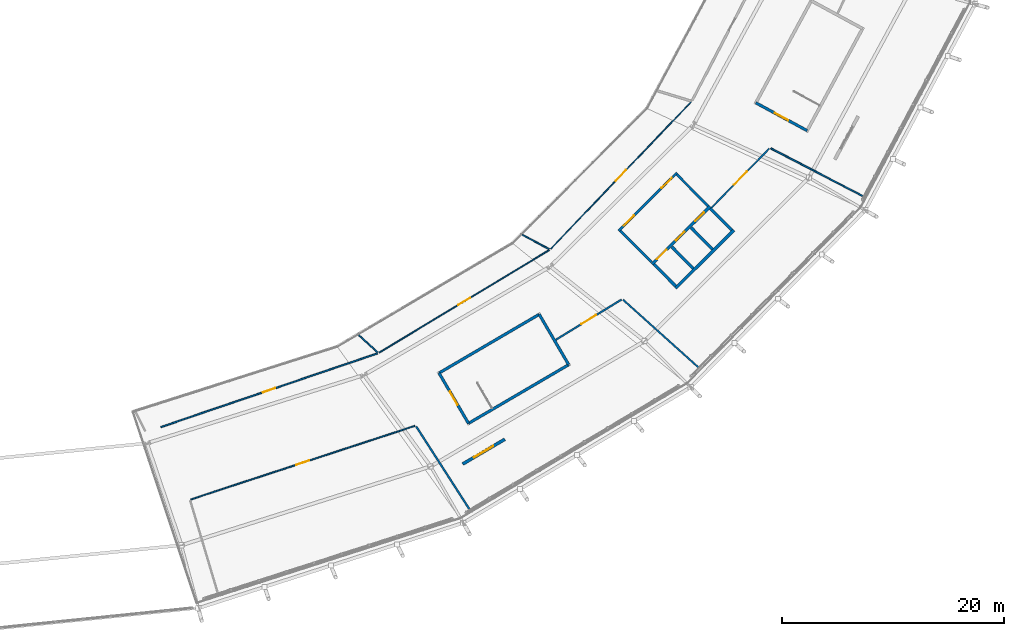
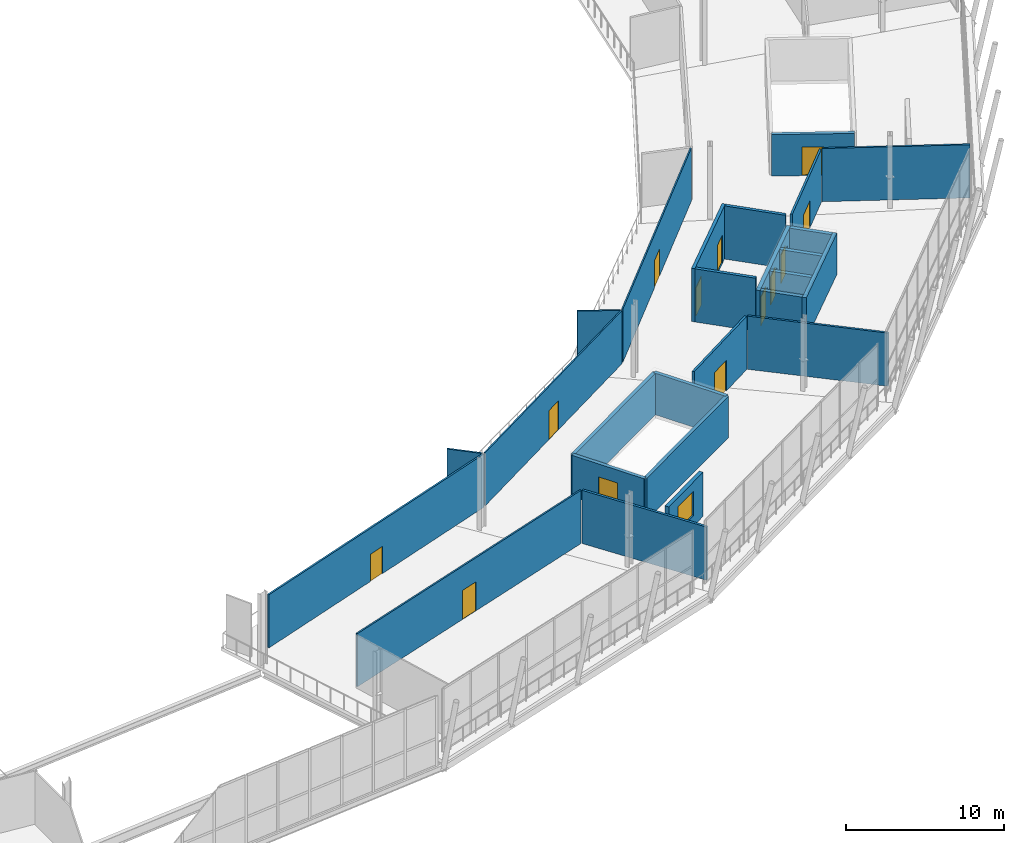
# One storey, part 87 of 99: 26 walls, 13 doors, 1 window, 14 openings.
"""IFC4 building model written with IfcOpenShell, lengths in metres."""

from ifc_helpers import new_model, si_unit, direction, frame, frame_2d, origin, place, context, subcontext, project, spatial, rectangle, extrude, material, layer, layer_set, type_object, element, fill, save


model = new_model("IFC4")

# Units and contexts
model_context = context("Model", 3, precision=1e-05, world=origin(), true_north=direction((0.0, 1.0)))
body_context = subcontext(model_context, "Body", "Model", "MODEL_VIEW")
ifc_project = project(units=[si_unit("LENGTHUNIT", "METRE"), si_unit("AREAUNIT", "SQUARE_METRE"), si_unit("VOLUMEUNIT", "CUBIC_METRE"), si_unit("PLANEANGLEUNIT", "RADIAN"), si_unit("MASSUNIT", "GRAM", prefix="KILO")], contexts=[model_context])

# Site, building, storey
site_placement = place(None, origin())
site = spatial("IfcSite", under=ifc_project, at=site_placement, CompositionType="ELEMENT")
building_placement = place(site_placement, origin())
building = spatial("IfcBuilding", under=site, at=building_placement, Name="Zlatoyarsky Gate Stadium", CompositionType="ELEMENT")
storey_placement = place(building_placement, frame((0.0, 0.0, 26.199951171875)))
storey = spatial("IfcBuildingStorey", under=building, at=storey_placement, Name="L05", CompositionType="ELEMENT", Elevation=26.199951171875)

# Walls
ifc_material_1 = material(Name="Double-stud acoustic gypsum partition", Category="gypsum")
ifc_layer_1 = layer(ifc_material_1, 0.169921875)
ifc_layer_set_1 = layer_set([ifc_layer_1], Name="Double-stud acoustic gypsum partition")
wall_type_1 = type_object("IfcWallType", Name="ACOUSTIC BROADCAST STUDIO WALL 170", PredefinedType="PARTITIONING", material=ifc_layer_set_1)
wall_1_placement = place(storey_placement, frame((156.1953125, 22.114013671875, 0.0), z_axis=(0.0, 0.0, 1.0), x_axis=(0.540953941146, -0.841052218093, 0.0)))
element("IfcWall", 1, at=wall_1_placement, inside=storey, type_object=wall_type_1, Name="L05 interior partition PRT-L05-ORD-19R", PredefinedType="PARTITIONING", context=body_context, shape_type="SweptSolid", body=[
    extrude(rectangle(XDim=8.860107421875, YDim=0.169921875, at=frame_2d((4.43017578125, 0.0))), origin(), (0.0, 0.0, 1.0), 4.10009765625),
])
ifc_material_2 = material(Name="Anodised aluminium acoustic operable wall", Category="aluminium")
ifc_layer_2 = layer(ifc_material_2, 0.114990234375)
ifc_layer_set_2 = layer_set([ifc_layer_2], Name="Anodised aluminium acoustic operable wall")
wall_type_2 = type_object("IfcWallType", Name="ACOUSTIC OPERABLE SUITE WALL 115", PredefinedType="MOVABLE", material=ifc_layer_set_2)
wall_2_placement = place(storey_placement, frame((165.7548828125, 39.351806640625, 0.0), z_axis=(0.0, 0.0, 1.0), x_axis=(0.88302902967, -0.469318370363, 0.0)))
element("IfcWall", 2, at=wall_2_placement, inside=storey, type_object=wall_type_2, Name="L05 interior partition PRT-L05-IRD-21", PredefinedType="MOVABLE", context=body_context, shape_type="SweptSolid", body=[
    extrude(rectangle(XDim=2.735107421875, YDim=0.114990234375, at=frame_2d((1.36767578125, 0.0))), origin(), (0.0, 0.0, 1.0), 4.10009765625),
])

# Wall, opening, door
wall_3_placement = place(storey_placement, frame((135.915283203125, 15.54052734375, 0.0), z_axis=(0.0, 0.0, 1.0), x_axis=(0.950079230019, 0.312008744568, 0.0)))
wall_3 = element("IfcWall", 3, at=wall_3_placement, inside=storey, type_object=wall_type_2, Name="L05 interior partition PRT-L05-OCC-19-1", PredefinedType="MOVABLE", context=body_context, shape_type="SweptSolid", body=[
    extrude(rectangle(XDim=21.212158203125, YDim=0.114990234375, at=frame_2d((10.60595703125, 0.0))), origin(), (0.0, 0.0, 1.0), 4.10009765625),
])
opening_1_placement = place(wall_3_placement, frame((9.986083984375, 0.0, 0.0)))
opening_1 = element("IfcOpeningElement", 4, at=opening_1_placement, cuts=wall_3, Name="Opening D-L05-698", PredefinedType="OPENING", context=body_context, shape_type="SweptSolid", body=[
    extrude(rectangle(XDim=1.239990234375, YDim=2.239990234375, at=frame_2d((0.6201171875, 1.1201171875))), frame((0.0, 0.0673828125, 0.0), z_axis=(0.0, -1.0, 0.0), x_axis=(1.0, 0.0, 0.0)), (0.0, 0.0, 1.0), 0.135009765625),
])
ifc_material_3 = material(Name="Solid-core oak veneer acoustic door", Category="wood")
door_type_1 = type_object("IfcDoorType", Name="ACOUSTIC INTERIOR DOOR 1240X2240", OperationType="NOTDEFINED", PredefinedType="DOOR", material=ifc_material_3)
door_1_placement = place(opening_1_placement, origin())
door_1 = element("IfcDoor", 5, at=door_1_placement, inside=storey, type_object=door_type_1, Name="L05 room door D-L05-698", OperationType="SINGLE_SWING_RIGHT", OverallHeight=2.239990234375, OverallWidth=1.239990234375, PredefinedType="DOOR", context=body_context, shape_type="SweptSolid", body=[
    extrude(rectangle(XDim=1.239990234375, YDim=2.239990234375, at=frame_2d((0.6201171875, 1.1201171875))), frame((0.0, 0.02490234375, 0.0), z_axis=(0.0, -1.0, 0.0), x_axis=(1.0, 0.0, 0.0)), (0.0, 0.0, 1.0), 0.050048828125),
])
fill(opening_1, door_1)

ifc_material_4 = material(Name="Moisture-resistant masonry partition", Category="masonry")
ifc_layer_3 = layer(ifc_material_4, 0.139892578125)
ifc_layer_set_3 = layer_set([ifc_layer_3], Name="Moisture-resistant masonry partition")
wall_type_3 = type_object("IfcWallType", Name="ATHLETE CHANGING BLOCK PARTITION 140", PredefinedType="PARTITIONING", material=ifc_layer_set_3)
wall_4_placement = place(storey_placement, frame((182.78369140625, 41.802001953125, 0.0), z_axis=(0.0, 0.0, 1.0), x_axis=(0.698644879178, 0.715468610631, 0.0)))
wall_4 = element("IfcWall", 6, at=wall_4_placement, inside=storey, type_object=wall_type_3, Name="L05 interior partition PRT-L05-OCC-21-1", PredefinedType="PARTITIONING", context=body_context, shape_type="SweptSolid", body=[
    extrude(rectangle(XDim=7.429931640625, YDim=0.139892578125, at=frame_2d((3.71484375, 0.0))), origin(), (0.0, 0.0, 1.0), 4.10009765625),
])
opening_2_placement = place(wall_4_placement, frame((2.875, 0.0, 0.0)))
opening_2 = element("IfcOpeningElement", 7, at=opening_2_placement, cuts=wall_4, Name="Opening D-L05-703", PredefinedType="OPENING", context=body_context, shape_type="SweptSolid", body=[
    extrude(rectangle(XDim=1.679931640625, YDim=2.10009765625, at=frame_2d((0.83984375, 1.050048828125))), frame((0.0, 0.079833984375, 0.0), z_axis=(0.0, -1.0, 0.0), x_axis=(1.0, 0.0, 0.0)), (0.0, 0.0, 1.0), 0.159912109375),
])
ifc_material_5 = material(Name="Powder-coated steel fire door", Category="steel")
door_type_2 = type_object("IfcDoorType", Name="ACOUSTIC INTERIOR DOOR 1680X2100", OperationType="NOTDEFINED", PredefinedType="DOOR", material=ifc_material_5)
door_2_placement = place(opening_2_placement, origin())
door_2 = element("IfcDoor", 8, at=door_2_placement, inside=storey, type_object=door_type_2, Name="L05 room door D-L05-703", OperationType="SINGLE_SWING_RIGHT", OverallHeight=2.10009765625, OverallWidth=1.679931640625, PredefinedType="DOOR", context=body_context, shape_type="SweptSolid", body=[
    extrude(rectangle(XDim=1.679931640625, YDim=2.10009765625, at=frame_2d((0.83984375, 1.050048828125))), frame((0.0, 0.02490234375, 0.0), z_axis=(0.0, -1.0, 0.0), x_axis=(1.0, 0.0, 0.0)), (0.0, 0.0, 1.0), 0.050048828125),
])
fill(opening_2, door_2)

# Walls
ifc_material_6 = material(Name="Metal-stud gypsum partition", Category="gypsum")
ifc_layer_4 = layer(ifc_material_6, 0.14990234375)
ifc_layer_set_4 = layer_set([ifc_layer_4], Name="Metal-stud gypsum partition")
wall_type_4 = type_object("IfcWallType", Name="CONCOURSE CORRIDOR PARTITION 150", PredefinedType="PARTITIONING", material=ifc_layer_set_4)
wall_5_placement = place(storey_placement, frame((174.81298828125, 33.517578125, 0.0), z_axis=(0.0, 0.0, 1.0), x_axis=(0.744190680706, -0.667967237782, 0.0)))
element("IfcWall", 9, at=wall_5_placement, inside=storey, type_object=wall_type_4, Name="L05 interior partition PRT-L05-ORD-20R", PredefinedType="PARTITIONING", context=body_context, shape_type="SweptSolid", body=[
    extrude(rectangle(XDim=9.10595703125, YDim=0.14990234375, at=frame_2d((4.552978515625, 0.0))), origin(), (0.0, 0.0, 1.0), 4.10009765625),
])
ifc_material_7 = material(Name="Concrete C40/50", Category="concrete")
ifc_layer_5 = layer(ifc_material_7, 0.27001953125)
ifc_layer_set_5 = layer_set([ifc_layer_5], Name="Concrete C40/50")
wall_type_5 = type_object("IfcWallType", Name="CONCRETE LIFT SHAFT SHEAR WALL 270", PredefinedType="SHEAR", material=ifc_layer_set_5)
wall_6_placement = place(storey_placement, frame((179.547119140625, 34.556396484375, 0.0), z_axis=(0.0, 0.0, 1.0), x_axis=(0.708902567846, 0.705306422274, 0.0)))
element("IfcWall", 10, at=wall_6_placement, inside=storey, type_object=wall_type_5, Name="C4 L05 lift shaft rear wall", PredefinedType="SHEAR", context=body_context, shape_type="SweptSolid", body=[
    extrude(rectangle(XDim=7.39990234375, YDim=0.27001953125, at=frame_2d((3.699951171875, 0.0))), origin(), (0.0, 0.0, 1.0), 3.199951171875),
])
for number, where, z_axis, x_axis, name in (
    (11, (179.54052734375, 34.75439453125, 0.0), (0.0, 0.0, 1.0), (-0.705322518225, 0.708886553183, 0.0), "C4 L05 lift shaft left wall"),
    (12, (184.594970703125, 39.783203125, 0.0), (0.0, 0.0, 1.0), (-0.705322518225, 0.708886553183, 0.0), "C4 L05 lift shaft right wall"),
    (13, (181.12841796875, 36.334228515625, 0.0), (0.0, 0.0, 1.0), (-0.705322518225, 0.708886553183, 0.0), "C4 L05 lift shaft divider 1"),
    (14, (182.865234375, 38.062255859375, 0.0), (0.0, 0.0, 1.0), (-0.705322518225, 0.708886553183, 0.0), "C4 L05 lift shaft divider 2"),
):
    element("IfcWall", number, at=place(storey_placement, frame(where, z_axis=z_axis, x_axis=x_axis)), inside=storey, type_object=wall_type_5, Name=name, PredefinedType="SHEAR", context=body_context, shape_type="SweptSolid", body=[
        extrude(rectangle(XDim=2.739990234375, YDim=0.27001953125, at=frame_2d((1.3701171875, 0.0))), origin(), (0.0, 0.0, 1.0), 3.199951171875),
    ])

# Wall, openings, doors
wall_7_placement = place(storey_placement, frame((177.409912109375, 36.704345703125, 0.0), z_axis=(0.0, 0.0, 1.0), x_axis=(0.708918979457, 0.705289926602, 0.0)))
wall_7 = element("IfcWall", 15, at=wall_7_placement, inside=storey, type_object=wall_type_5, Name="C4 L05 lift landing front wall", PredefinedType="SHEAR", context=body_context, shape_type="SweptSolid", body=[
    extrude(rectangle(XDim=7.400146484375, YDim=0.27001953125, at=frame_2d((3.7001953125, 0.0))), origin(), (0.0, 0.0, 1.0), 3.199951171875),
])
opening_3_placement = place(wall_7_placement, frame((0.64990234375, 0.0, 0.0)))
opening_3 = element("IfcOpeningElement", 16, at=opening_3_placement, cuts=wall_7, Name="Opening LD-FL-04-L05", PredefinedType="OPENING", context=body_context, shape_type="SweptSolid", body=[
    extrude(rectangle(XDim=1.199951171875, YDim=2.25, at=frame_2d((0.60009765625, 1.125))), frame((0.0, 0.14501953125, 0.0), z_axis=(0.0, -1.0, 0.0), x_axis=(1.0, 0.0, 0.0)), (0.0, 0.0, 1.0), 0.2900390625),
])
opening_4_placement = place(wall_7_placement, frame((3.050048828125, 0.0, 0.0)))
opening_4 = element("IfcOpeningElement", 17, at=opening_4_placement, cuts=wall_7, Name="Opening LD-LF-07-L05", PredefinedType="OPENING", context=body_context, shape_type="SweptSolid", body=[
    extrude(rectangle(XDim=1.10009765625, YDim=2.199951171875, at=frame_2d((0.550048828125, 1.10009765625))), frame((0.0, 0.14501953125, 0.0), z_axis=(0.0, -1.0, 0.0), x_axis=(1.0, 0.0, 0.0)), (0.0, 0.0, 1.0), 0.2900390625),
])
opening_5_placement = place(wall_7_placement, frame((5.5, 0.0, 0.0)))
opening_5 = element("IfcOpeningElement", 18, at=opening_5_placement, cuts=wall_7, Name="Opening LD-LF-08-L05", PredefinedType="OPENING", context=body_context, shape_type="SweptSolid", body=[
    extrude(rectangle(XDim=1.10009765625, YDim=2.199951171875, at=frame_2d((0.550048828125, 1.10009765625))), frame((0.0, 0.14501953125, 0.0), z_axis=(0.0, -1.0, 0.0), x_axis=(1.0, 0.0, 0.0)), (0.0, 0.0, 1.0), 0.2900390625),
])
door_type_3 = type_object("IfcDoorType", Name="STAINLESS LIFT LANDING SLIDING DOOR 1100X2200", OperationType="DOUBLE_DOOR_SLIDING", PredefinedType="DOOR", material=ifc_material_5)
door_3_placement = place(opening_4_placement, origin())
door_3 = element("IfcDoor", 19, at=door_3_placement, inside=storey, type_object=door_type_3, Name="Lift LF-07 L05 sliding landing door", OperationType="DOUBLE_DOOR_SLIDING", OverallHeight=2.199951171875, OverallWidth=1.10009765625, PredefinedType="DOOR", context=body_context, shape_type="SweptSolid", body=[
    extrude(rectangle(XDim=1.10009765625, YDim=2.199951171875, at=frame_2d((0.550048828125, 1.10009765625))), frame((0.0, 0.02490234375, 0.0), z_axis=(0.0, -1.0, 0.0), x_axis=(1.0, 0.0, 0.0)), (0.0, 0.0, 1.0), 0.050048828125),
])
fill(opening_4, door_3)
door_4_placement = place(opening_5_placement, origin())
door_4 = element("IfcDoor", 20, at=door_4_placement, inside=storey, type_object=door_type_3, Name="Lift LF-08 L05 sliding landing door", OperationType="DOUBLE_DOOR_SLIDING", OverallHeight=2.199951171875, OverallWidth=1.10009765625, PredefinedType="DOOR", context=body_context, shape_type="SweptSolid", body=[
    extrude(rectangle(XDim=1.10009765625, YDim=2.199951171875, at=frame_2d((0.550048828125, 1.10009765625))), frame((0.0, 0.02490234375, 0.0), z_axis=(0.0, -1.0, 0.0), x_axis=(1.0, 0.0, 0.0)), (0.0, 0.0, 1.0), 0.050048828125),
])
fill(opening_5, door_4)
door_type_4 = type_object("IfcDoorType", Name="STAINLESS LIFT LANDING SLIDING DOOR 1200X2250", OperationType="DOUBLE_DOOR_SLIDING", PredefinedType="DOOR", material=ifc_material_5)
door_5_placement = place(opening_3_placement, origin())
door_5 = element("IfcDoor", 21, at=door_5_placement, inside=storey, type_object=door_type_4, Name="Lift FL-04 L05 sliding landing door", OperationType="DOUBLE_DOOR_SLIDING", OverallHeight=2.25, OverallWidth=1.199951171875, PredefinedType="DOOR", context=body_context, shape_type="SweptSolid", body=[
    extrude(rectangle(XDim=1.199951171875, YDim=2.25, at=frame_2d((0.60009765625, 1.125))), frame((0.0, 0.02490234375, 0.0), z_axis=(0.0, -1.0, 0.0), x_axis=(1.0, 0.0, 0.0)), (0.0, 0.0, 1.0), 0.050048828125),
])
fill(opening_3, door_5)

# Wall, opening, door
ifc_layer_6 = layer(ifc_material_7, 0.25)
ifc_layer_set_6 = layer_set([ifc_layer_6], Name="Concrete C40/50")
wall_type_6 = type_object("IfcWallType", Name="CONCRETE STAIR CORE SHEAR WALL 250", PredefinedType="SHEAR", material=ifc_layer_set_6)
wall_8_placement = place(storey_placement, frame((158.25341796875, 26.916015625, 0.0), z_axis=(0.0, 0.0, 1.0), x_axis=(0.505460490551, -0.862849750821, 0.0)))
wall_8 = element("IfcWall", 22, at=wall_8_placement, inside=storey, type_object=wall_type_6, Name="ST-11 L05 stair core entrance shear wall", PredefinedType="SHEAR", context=body_context, shape_type="SweptSolid", body=[
    extrude(rectangle(XDim=5.249755859375, YDim=0.25, at=frame_2d((2.625, 0.0))), origin(), (0.0, 0.0, 1.0), 3.199951171875),
])
opening_6_placement = place(wall_8_placement, frame((1.925048828125, 0.0, 0.0)))
opening_6 = element("IfcOpeningElement", 23, at=opening_6_placement, cuts=wall_8, Name="Opening SD-ST-11-L05", PredefinedType="OPENING", context=body_context, shape_type="SweptSolid", body=[
    extrude(rectangle(XDim=1.39990234375, YDim=2.199951171875, at=frame_2d((0.699951171875, 1.10009765625))), frame((0.0, 0.135009765625, 0.0), z_axis=(0.0, -1.0, 0.0), x_axis=(1.0, 0.0, 0.0)), (0.0, 0.0, 1.0), 0.27001953125),
])
door_type_5 = type_object("IfcDoorType", Name="STAIR CORE FIRE EXIT DOOR 1400X2200", OperationType="NOTDEFINED", PredefinedType="DOOR", material=ifc_material_5)
door_6_placement = place(opening_6_placement, frame((1.39990234375, 0.0, 0.0), z_axis=(0.0, 0.0, 1.0), x_axis=(-1.0, 0.0, 0.0)))
door_6 = element("IfcDoor", 24, at=door_6_placement, inside=storey, type_object=door_type_5, Name="ST-11 L05 stair fire door", OperationType="SINGLE_SWING_LEFT", OverallHeight=2.199951171875, OverallWidth=1.39990234375, PredefinedType="DOOR", context=body_context, shape_type="SweptSolid", body=[
    extrude(rectangle(XDim=1.39990234375, YDim=2.199951171875, at=frame_2d((0.699951171875, 1.10009765625))), frame((0.0, 0.02490234375, 0.0), z_axis=(0.0, -1.0, 0.0), x_axis=(1.0, 0.0, 0.0)), (0.0, 0.0, 1.0), 0.050048828125),
])
fill(opening_6, door_6)

# Walls
wall_9_placement = place(storey_placement, frame((160.906982421875, 22.38623046875, 0.0), z_axis=(0.0, 0.0, 1.0), x_axis=(0.862854686184, 0.505452065513, 0.0)))
element("IfcWall", 25, at=wall_9_placement, inside=storey, type_object=wall_type_6, Name="ST-11 L05 stair core left shear wall", PredefinedType="SHEAR", context=body_context, shape_type="SweptSolid", body=[
    extrude(rectangle(XDim=10.449951171875, YDim=0.25, at=frame_2d((5.22509765625, 0.0))), origin(), (0.0, 0.0, 1.0), 3.199951171875),
])
wall_10_placement = place(storey_placement, frame((169.923828125, 27.668212890625, 0.0), z_axis=(0.0, 0.0, 1.0), x_axis=(-0.505474830399, 0.862841350327, 0.0)))
element("IfcWall", 26, at=wall_10_placement, inside=storey, type_object=wall_type_6, Name="ST-11 L05 stair core far shear wall", PredefinedType="SHEAR", context=body_context, shape_type="SweptSolid", body=[
    extrude(rectangle(XDim=5.250244140625, YDim=0.25, at=frame_2d((2.625, 0.0))), origin(), (0.0, 0.0, 1.0), 3.199951171875),
])
wall_11_placement = place(storey_placement, frame((167.27001953125, 32.1982421875, 0.0), z_axis=(0.0, 0.0, 1.0), x_axis=(-0.862838527648, -0.505479648657, 0.0)))
element("IfcWall", 27, at=wall_11_placement, inside=storey, type_object=wall_type_6, Name="ST-11 L05 stair core right shear wall", PredefinedType="SHEAR", context=body_context, shape_type="SweptSolid", body=[
    extrude(rectangle(XDim=10.449951171875, YDim=0.25, at=frame_2d((5.22509765625, 0.0))), origin(), (0.0, 0.0, 1.0), 3.199951171875),
])

# Wall, opening, door
wall_12_placement = place(storey_placement, frame((186.770263671875, 51.235107421875, 0.0), z_axis=(0.0, 0.0, 1.0), x_axis=(0.878941993928, -0.476928685769, 0.0)))
wall_12 = element("IfcWall", 28, at=wall_12_placement, inside=storey, type_object=wall_type_6, Name="ST-12 L05 stair core entrance shear wall", PredefinedType="SHEAR", context=body_context, shape_type="SweptSolid", body=[
    extrude(rectangle(XDim=5.25, YDim=0.25, at=frame_2d((2.625, 0.0))), origin(), (0.0, 0.0, 1.0), 3.199951171875),
])
opening_7_placement = place(wall_12_placement, frame((1.925048828125, 0.0, 0.0)))
opening_7 = element("IfcOpeningElement", 29, at=opening_7_placement, cuts=wall_12, Name="Opening SD-ST-12-L05", PredefinedType="OPENING", context=body_context, shape_type="SweptSolid", body=[
    extrude(rectangle(XDim=1.39990234375, YDim=2.199951171875, at=frame_2d((0.699951171875, 1.10009765625))), frame((0.0, 0.135009765625, 0.0), z_axis=(0.0, -1.0, 0.0), x_axis=(1.0, 0.0, 0.0)), (0.0, 0.0, 1.0), 0.27001953125),
])
door_7_placement = place(opening_7_placement, frame((1.39990234375, 0.0, 0.0), z_axis=(0.0, 0.0, 1.0), x_axis=(-1.0, 0.0, 0.0)))
door_7 = element("IfcDoor", 30, at=door_7_placement, inside=storey, type_object=door_type_5, Name="ST-12 L05 stair fire door", OperationType="SINGLE_SWING_RIGHT", OverallHeight=2.199951171875, OverallWidth=1.39990234375, PredefinedType="DOOR", context=body_context, shape_type="SweptSolid", body=[
    extrude(rectangle(XDim=1.39990234375, YDim=2.199951171875, at=frame_2d((0.699951171875, 1.10009765625))), frame((0.0, 0.02490234375, 0.0), z_axis=(0.0, -1.0, 0.0), x_axis=(1.0, 0.0, 0.0)), (0.0, 0.0, 1.0), 0.050048828125),
])
fill(opening_7, door_7)

# Walls
ifc_material_8 = material(Name="Autoclaved aerated concrete masonry EI 120", Category="masonry")
ifc_layer_7 = layer(ifc_material_8, 0.219970703125)
ifc_layer_set_7 = layer_set([ifc_layer_7], Name="Autoclaved aerated concrete masonry EI 120")
wall_type_7 = type_object("IfcWallType", Name="FIREFIGHTING LOBBY RATED WALL 220", PredefinedType="PARTITIONING", material=ifc_layer_set_7)
for number, where, z_axis, x_axis, name in (
    (31, (177.378662109375, 36.8916015625, 0.0), (0.0, 0.0, 1.0), (-0.705294916294, 0.708914015273, 0.0), "C4 L05 firefighting lobby left wall"),
    (32, (182.468505859375, 41.955810546875, 0.0), (0.0, 0.0, 1.0), (-0.705294916294, 0.708914015273, 0.0), "C4 L05 firefighting lobby right wall"),
):
    element("IfcWall", number, at=place(storey_placement, frame(where, z_axis=z_axis, x_axis=x_axis)), inside=storey, type_object=wall_type_7, Name=name, PredefinedType="PARTITIONING", context=body_context, shape_type="SweptSolid", body=[
        extrude(rectangle(XDim=3.97998046875, YDim=0.219970703125, at=frame_2d((1.989990234375, 0.0))), origin(), (0.0, 0.0, 1.0), 4.10009765625),
    ])

# Wall, openings, doors
wall_13_placement = place(storey_placement, frame((174.416015625, 39.713623046875, 0.0), z_axis=(0.0, 0.0, 1.0), x_axis=(0.708902567846, 0.705306422274, 0.0)))
wall_13 = element("IfcWall", 33, at=wall_13_placement, inside=storey, type_object=wall_type_7, Name="C4 L05 firefighting lobby front wall", PredefinedType="PARTITIONING", context=body_context, shape_type="SweptSolid", body=[
    extrude(rectangle(XDim=7.39990234375, YDim=0.219970703125, at=frame_2d((3.699951171875, 0.0))), origin(), (0.0, 0.0, 1.0), 4.10009765625),
])
opening_8_placement = place(wall_13_placement, frame((0.64990234375, 0.0, 0.0)))
opening_8 = element("IfcOpeningElement", 34, at=opening_8_placement, cuts=wall_13, Name="Opening FD-C4-L05-A", PredefinedType="OPENING", context=body_context, shape_type="SweptSolid", body=[
    extrude(rectangle(XDim=1.300048828125, YDim=2.199951171875, at=frame_2d((0.64990234375, 1.10009765625))), frame((0.0, 0.119873046875, 0.0), z_axis=(0.0, -1.0, 0.0), x_axis=(1.0, 0.0, 0.0)), (0.0, 0.0, 1.0), 0.239990234375),
])
opening_9_placement = place(wall_13_placement, frame((5.449951171875, 0.0, 0.0)))
opening_9 = element("IfcOpeningElement", 35, at=opening_9_placement, cuts=wall_13, Name="Opening FD-C4-L05-B", PredefinedType="OPENING", context=body_context, shape_type="SweptSolid", body=[
    extrude(rectangle(XDim=1.300048828125, YDim=2.199951171875, at=frame_2d((0.64990234375, 1.10009765625))), frame((0.0, 0.119873046875, 0.0), z_axis=(0.0, -1.0, 0.0), x_axis=(1.0, 0.0, 0.0)), (0.0, 0.0, 1.0), 0.239990234375),
])
door_type_6 = type_object("IfcDoorType", Name="FIREFIGHTING LOBBY FIRE DOOR 1300X2200", OperationType="NOTDEFINED", PredefinedType="DOOR", material=ifc_material_5)
door_8_placement = place(opening_8_placement, origin())
door_8 = element("IfcDoor", 36, at=door_8_placement, inside=storey, type_object=door_type_6, Name="C4 L05 firefighting lobby fire door FD-C4-L05-A", OperationType="SINGLE_SWING_LEFT", OverallHeight=2.199951171875, OverallWidth=1.300048828125, PredefinedType="DOOR", context=body_context, shape_type="SweptSolid", body=[
    extrude(rectangle(XDim=1.300048828125, YDim=2.199951171875, at=frame_2d((0.64990234375, 1.10009765625))), frame((0.0, 0.02490234375, 0.0), z_axis=(0.0, -1.0, 0.0), x_axis=(1.0, 0.0, 0.0)), (0.0, 0.0, 1.0), 0.050048828125),
])
fill(opening_8, door_8)
door_9_placement = place(opening_9_placement, origin())
door_9 = element("IfcDoor", 37, at=door_9_placement, inside=storey, type_object=door_type_6, Name="C4 L05 firefighting lobby fire door FD-C4-L05-B", OperationType="SINGLE_SWING_RIGHT", OverallHeight=2.199951171875, OverallWidth=1.300048828125, PredefinedType="DOOR", context=body_context, shape_type="SweptSolid", body=[
    extrude(rectangle(XDim=1.300048828125, YDim=2.199951171875, at=frame_2d((0.64990234375, 1.10009765625))), frame((0.0, 0.02490234375, 0.0), z_axis=(0.0, -1.0, 0.0), x_axis=(1.0, 0.0, 0.0)), (0.0, 0.0, 1.0), 0.050048828125),
])
fill(opening_9, door_9)

# Wall, opening, door
ifc_material_9 = material(Name="Timber-veneered acoustic operable partition", Category="wood")
ifc_layer_8 = layer(ifc_material_9, 0.094970703125)
ifc_layer_set_8 = layer_set([ifc_layer_8], Name="Timber-veneered acoustic operable partition")
wall_type_8 = type_object("IfcWallType", Name="FOLDING BANQUET SALON WALL 95", PredefinedType="MOVABLE", material=ifc_layer_set_8)
wall_14_placement = place(storey_placement, frame((168.303955078125, 38.08984375, 0.0), z_axis=(0.0, 0.0, 1.0), x_axis=(0.690816054728, 0.723030551588, 0.0)))
wall_14 = element("IfcWall", 38, at=wall_14_placement, inside=storey, type_object=wall_type_8, Name="L05 interior partition PRT-L05-ICC-21", PredefinedType="MOVABLE", context=body_context, shape_type="SweptSolid", body=[
    extrude(rectangle(XDim=18.287109375, YDim=0.094970703125, at=frame_2d((9.1435546875, 0.0))), origin(), (0.0, 0.0, 1.0), 4.10009765625),
])
opening_10_placement = place(wall_14_placement, frame((8.4736328125, 0.0, 0.0)))
opening_10 = element("IfcOpeningElement", 39, at=opening_10_placement, cuts=wall_14, Name="Opening D-L05-659", PredefinedType="OPENING", context=body_context, shape_type="SweptSolid", body=[
    extrude(rectangle(XDim=1.340087890625, YDim=2.10009765625, at=frame_2d((0.669921875, 1.050048828125))), frame((0.0, 0.057373046875, 0.0), z_axis=(0.0, -1.0, 0.0), x_axis=(1.0, 0.0, 0.0)), (0.0, 0.0, 1.0), 0.114990234375),
])
door_type_7 = type_object("IfcDoorType", Name="ACOUSTIC INTERIOR DOOR 1340X2100", OperationType="NOTDEFINED", PredefinedType="DOOR", material=ifc_material_3)
door_10_placement = place(opening_10_placement, origin())
door_10 = element("IfcDoor", 40, at=door_10_placement, inside=storey, type_object=door_type_7, Name="L05 room door D-L05-659", OperationType="SINGLE_SWING_RIGHT", OverallHeight=2.10009765625, OverallWidth=1.340087890625, PredefinedType="DOOR", context=body_context, shape_type="SweptSolid", body=[
    extrude(rectangle(XDim=1.340087890625, YDim=2.10009765625, at=frame_2d((0.669921875, 1.050048828125))), frame((0.0, 0.02490234375, 0.0), z_axis=(0.0, -1.0, 0.0), x_axis=(1.0, 0.0, 0.0)), (0.0, 0.0, 1.0), 0.050048828125),
])
fill(opening_10, door_10)

ifc_material_10 = material(Name="Acoustic metal-stud gypsum partition", Category="gypsum")
ifc_layer_9 = layer(ifc_material_10, 0.159912109375)
ifc_layer_set_9 = layer_set([ifc_layer_9], Name="Acoustic metal-stud gypsum partition")
wall_type_9 = type_object("IfcWallType", Name="HOSPITALITY SUITE PARTITION 160", PredefinedType="PARTITIONING", material=ifc_layer_set_9)
wall_15_placement = place(storey_placement, frame((168.76220703125, 29.908203125, 0.0), z_axis=(0.0, 0.0, 1.0), x_axis=(0.852817711414, 0.52220872369, 0.0)))
wall_15 = element("IfcWall", 41, at=wall_15_placement, inside=storey, type_object=wall_type_9, Name="L05 interior partition PRT-L05-OCC-20-1", PredefinedType="PARTITIONING", context=body_context, shape_type="SweptSolid", body=[
    extrude(rectangle(XDim=6.935546875, YDim=0.159912109375, at=frame_2d((3.4677734375, 0.0))), origin(), (0.0, 0.0, 1.0), 4.10009765625),
])
opening_11_placement = place(wall_15_placement, frame((2.687744140625, 0.0, 0.0)))
opening_11 = element("IfcOpeningElement", 42, at=opening_11_placement, cuts=wall_15, Name="Opening D-L05-701", PredefinedType="OPENING", context=body_context, shape_type="SweptSolid", body=[
    extrude(rectangle(XDim=1.56005859375, YDim=2.3798828125, at=frame_2d((0.780029296875, 1.18994140625))), frame((0.0, 0.08984375, 0.0), z_axis=(0.0, -1.0, 0.0), x_axis=(1.0, 0.0, 0.0)), (0.0, 0.0, 1.0), 0.179931640625),
])
door_type_8 = type_object("IfcDoorType", Name="ACOUSTIC INTERIOR DOOR 1560X2380", OperationType="NOTDEFINED", PredefinedType="DOOR", material=ifc_material_5)
door_11_placement = place(opening_11_placement, origin())
door_11 = element("IfcDoor", 43, at=door_11_placement, inside=storey, type_object=door_type_8, Name="L05 room door D-L05-701", OperationType="SINGLE_SWING_LEFT", OverallHeight=2.3798828125, OverallWidth=1.56005859375, PredefinedType="DOOR", context=body_context, shape_type="SweptSolid", body=[
    extrude(rectangle(XDim=1.56005859375, YDim=2.3798828125, at=frame_2d((0.780029296875, 1.18994140625))), frame((0.0, 0.02490234375, 0.0), z_axis=(0.0, -1.0, 0.0), x_axis=(1.0, 0.0, 0.0)), (0.0, 0.0, 1.0), 0.050048828125),
])
fill(opening_11, door_11)

# Wall, opening, window
ifc_material_11 = material(Name="Precast concrete C40/50 architectural panel", Category="concrete")
ifc_layer_10 = layer(ifc_material_11, 0.280029296875)
ifc_layer_set_10 = layer_set([ifc_layer_10], Name="Precast concrete C40/50 architectural panel")
wall_type_10 = type_object("IfcWallType", Name="INSULATED WING SPANDREL WALL 280", PredefinedType="STANDARD", material=ifc_layer_set_10)
wall_16_placement = place(storey_placement, frame((160.3798828125, 18.7236328125, 0.0), z_axis=(0.0, 0.0, 1.0), x_axis=(0.861939920372, 0.507010427574, 0.0)))
wall_16 = element("IfcWall", 44, at=wall_16_placement, inside=storey, type_object=wall_type_10, Name="L05 clerestory lantern wall 07", PredefinedType="STANDARD", context=body_context, shape_type="SweptSolid", body=[
    extrude(rectangle(XDim=4.400146484375, YDim=0.280029296875, at=frame_2d((2.2001953125, 0.0))), origin(), (0.0, 0.0, 1.0), 3.400146484375),
])
opening_12_placement = place(wall_16_placement, frame((1.199951171875, 0.0, 0.800048828125)))
opening_12 = element("IfcOpeningElement", 45, at=opening_12_placement, cuts=wall_16, Name="Opening SK-03", PredefinedType="OPENING", context=body_context, shape_type="SweptSolid", body=[
    extrude(rectangle(XDim=2.0, YDim=1.89990234375, at=frame_2d((1.0, 0.949951171875))), frame((0.0, 0.14990234375, 0.0), z_axis=(0.0, -1.0, 0.0), x_axis=(1.0, 0.0, 0.0)), (0.0, 0.0, 1.0), 0.300048828125),
])
ifc_material_12 = material(Name="Triple-glazed thermally broken aluminium skylight", Category="aluminium")
window_type = type_object("IfcWindowType", Name="INSULATED ROOF SMOKE VENT SKYLIGHT 2000X1900", PartitioningType="SINGLE_PANEL", PredefinedType="SKYLIGHT", material=ifc_material_12)
window_placement = place(opening_12_placement, origin())
window = element("IfcWindow", 46, at=window_placement, inside=storey, type_object=window_type, Name="Clerestory smoke vent skylight SKY-07", OverallHeight=1.89990234375, OverallWidth=2.0, PartitioningType="SINGLE_PANEL", PredefinedType="SKYLIGHT", context=body_context, shape_type="SweptSolid", body=[
    extrude(rectangle(XDim=2.0, YDim=1.89990234375, at=frame_2d((1.0, 0.949951171875))), frame((0.0, 0.030029296875, 0.0), z_axis=(0.0, -1.0, 0.0), x_axis=(1.0, 0.0, 0.0)), (0.0, 0.0, 1.0), 0.06005859375),
])
fill(opening_12, window)

# Wall, opening, door
ifc_layer_11 = layer(ifc_material_6, 0.10009765625)
ifc_layer_set_11 = layer_set([ifc_layer_11], Name="Metal-stud gypsum partition")
wall_type_11 = type_object("IfcWallType", Name="LIGHT STORAGE PARTITION 100", PredefinedType="PARTITIONING", material=ifc_layer_set_11)
wall_17_placement = place(storey_placement, frame((152.87451171875, 28.755615234375, 0.0), z_axis=(0.0, 0.0, 1.0), x_axis=(0.856254564886, 0.516554082465, 0.0)))
wall_17 = element("IfcWall", 47, at=wall_17_placement, inside=storey, type_object=wall_type_11, Name="L05 interior partition PRT-L05-ICC-20", PredefinedType="PARTITIONING", context=body_context, shape_type="SweptSolid", body=[
    extrude(rectangle(XDim=17.865966796875, YDim=0.10009765625, at=frame_2d((8.93310546875, 0.0))), origin(), (0.0, 0.0, 1.0), 4.10009765625),
])
opening_13_placement = place(wall_17_placement, frame((8.31298828125, 0.0, 0.0)))
opening_13 = element("IfcOpeningElement", 48, at=opening_13_placement, cuts=wall_17, Name="Opening D-L05-657", PredefinedType="OPENING", context=body_context, shape_type="SweptSolid", body=[
    extrude(rectangle(XDim=1.239990234375, YDim=2.239990234375, at=frame_2d((0.6201171875, 1.1201171875))), frame((0.0, 0.06005859375, 0.0), z_axis=(0.0, -1.0, 0.0), x_axis=(1.0, 0.0, 0.0)), (0.0, 0.0, 1.0), 0.1201171875),
])
door_12_placement = place(opening_13_placement, origin())
door_12 = element("IfcDoor", 49, at=door_12_placement, inside=storey, type_object=door_type_1, Name="L05 room door D-L05-657", OperationType="SINGLE_SWING_LEFT", OverallHeight=2.239990234375, OverallWidth=1.239990234375, PredefinedType="DOOR", context=body_context, shape_type="SweptSolid", body=[
    extrude(rectangle(XDim=1.239990234375, YDim=2.239990234375, at=frame_2d((0.6201171875, 1.1201171875))), frame((0.0, 0.02490234375, 0.0), z_axis=(0.0, -1.0, 0.0), x_axis=(1.0, 0.0, 0.0)), (0.0, 0.0, 1.0), 0.050048828125),
])
fill(opening_13, door_12)

# Wall
ifc_layer_12 = layer(ifc_material_6, 0.1201171875)
ifc_layer_set_12 = layer_set([ifc_layer_12], Name="Metal-stud gypsum partition")
wall_type_12 = type_object("IfcWallType", Name="OFFICE AND PRESS PARTITION 120", PredefinedType="PARTITIONING", material=ifc_layer_set_12)
wall_18_placement = place(storey_placement, frame((151.047119140625, 30.32861328125, 0.0), z_axis=(0.0, 0.0, 1.0), x_axis=(0.735328001336, -0.677711391708, 0.0)))
element("IfcWall", 50, at=wall_18_placement, inside=storey, type_object=wall_type_12, Name="L05 interior partition PRT-L05-IRD-20", PredefinedType="PARTITIONING", context=body_context, shape_type="SweptSolid", body=[
    extrude(rectangle(XDim=2.30078125, YDim=0.1201171875, at=frame_2d((1.150390625, 0.0))), origin(), (0.0, 0.0, 1.0), 4.10009765625),
])

# Wall, opening, door
ifc_material_13 = material(Name="Moisture-resistant tile-backed partition", Category="gypsum")
ifc_layer_13 = layer(ifc_material_13, 0.1298828125)
ifc_layer_set_13 = layer_set([ifc_layer_13], Name="Moisture-resistant tile-backed partition")
wall_type_13 = type_object("IfcWallType", Name="SANITARY WET ROOM PARTITION 130", PredefinedType="PARTITIONING", material=ifc_layer_set_13)
wall_19_placement = place(storey_placement, frame((133.213134765625, 22.05322265625, 0.0), z_axis=(0.0, 0.0, 1.0), x_axis=(0.946796937283, 0.321831570159, 0.0)))
wall_19 = element("IfcWall", 51, at=wall_19_placement, inside=storey, type_object=wall_type_13, Name="L05 interior partition PRT-L05-ICC-19", PredefinedType="PARTITIONING", context=body_context, shape_type="SweptSolid", body=[
    extrude(rectangle(XDim=20.604248046875, YDim=0.1298828125, at=frame_2d((10.30224609375, 0.0))), origin(), (0.0, 0.0, 1.0), 4.10009765625),
])
opening_14_placement = place(wall_19_placement, frame((9.72216796875, 0.0, 0.0)))
opening_14 = element("IfcOpeningElement", 52, at=opening_14_placement, cuts=wall_19, Name="Opening D-L05-654", PredefinedType="OPENING", context=body_context, shape_type="SweptSolid", body=[
    extrude(rectangle(XDim=1.159912109375, YDim=2.10009765625, at=frame_2d((0.580078125, 1.050048828125))), frame((0.0, 0.074951171875, 0.0), z_axis=(0.0, -1.0, 0.0), x_axis=(1.0, 0.0, 0.0)), (0.0, 0.0, 1.0), 0.14990234375),
])
door_type_9 = type_object("IfcDoorType", Name="ACOUSTIC INTERIOR DOOR 1160X2100", OperationType="NOTDEFINED", PredefinedType="DOOR", material=ifc_material_3)
door_13_placement = place(opening_14_placement, origin())
door_13 = element("IfcDoor", 53, at=door_13_placement, inside=storey, type_object=door_type_9, Name="L05 room door D-L05-654", OperationType="SINGLE_SWING_RIGHT", OverallHeight=2.10009765625, OverallWidth=1.159912109375, PredefinedType="DOOR", context=body_context, shape_type="SweptSolid", body=[
    extrude(rectangle(XDim=1.159912109375, YDim=2.10009765625, at=frame_2d((0.580078125, 1.050048828125))), frame((0.0, 0.02490234375, 0.0), z_axis=(0.0, -1.0, 0.0), x_axis=(1.0, 0.0, 0.0)), (0.0, 0.0, 1.0), 0.050048828125),
])
fill(opening_14, door_13)

# Wall
wall_20_placement = place(storey_placement, frame((188.109619140625, 47.1396484375, 0.0), z_axis=(0.0, 0.0, 1.0), x_axis=(0.887833074845, -0.460165656272, 0.0)))
element("IfcWall", 54, at=wall_20_placement, inside=storey, type_object=wall_type_13, Name="L05 interior partition PRT-L05-ORD-21R", PredefinedType="PARTITIONING", context=body_context, shape_type="SweptSolid", body=[
    extrude(rectangle(XDim=9.360595703125, YDim=0.1298828125, at=frame_2d((4.68017578125, 0.0))), origin(), (0.0, 0.0, 1.0), 4.10009765625),
])

save(model, "model.ifc")
